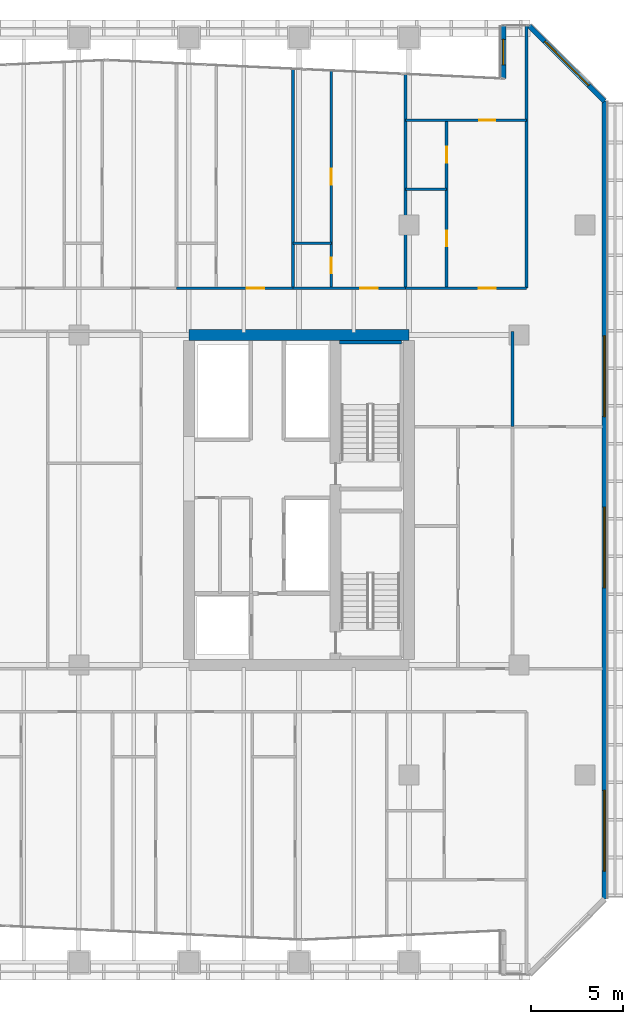
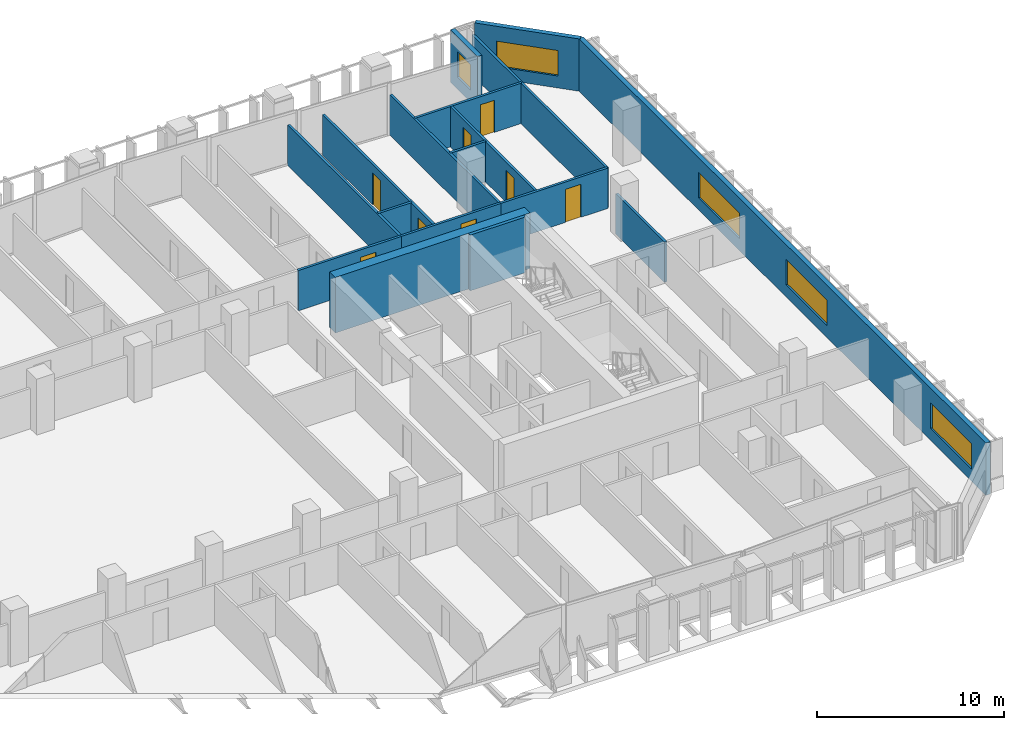
# One storey, part 25 of 32: 17 walls, 8 doors, 5 windows, 13 openings.
"""IFC4 building model written with IfcOpenShell, lengths in metres."""

import ifcopenshell
import ifcopenshell.guid

model = None  # the IFC model being written
_history = None  # IfcOwnerHistory: only IFC2X3 demands one
_inside = {}  # id of a spatial element -> (the spatial element, [elements in it])
_under = {}  # id of a project, library or spatial element -> (it, [spatial elements below it])
_declared = {}  # id of a project -> (the project, [libraries it declares])
_typed = {}  # id of a type object -> (the type object, [elements of that type])
_made_of = {}  # id of a material, layer set ... -> (it, [elements and type objects made of it])


def new_model(schema):
    """Start an empty IFC model of exactly this schema.

    Asked for "IFC4X3", IfcOpenShell would pick the latest addendum, in which some entities
    have other attributes; the version numbers below select the first issue.
    IFC2X3 requires an IfcOwnerHistory on every rooted entity: one is made here for all.
    """
    global model, _history
    if schema == "IFC4X3":
        model = ifcopenshell.file(schema_version=(4, 3, 0, 0))
    else:
        model = ifcopenshell.file(schema=schema)
    _inside.clear()
    _under.clear()
    _declared.clear()
    _typed.clear()
    _made_of.clear()
    _history = None
    if model.schema == "IFC2X3":
        org = make("IfcOrganization", Name="unknown")
        user = make(
            "IfcPersonAndOrganization",
            ThePerson=make("IfcPerson", FamilyName="unknown"),
            TheOrganization=org,
        )
        app = make(
            "IfcApplication",
            ApplicationDeveloper=org,
            Version="unknown",
            ApplicationFullName="unknown",
            ApplicationIdentifier="unknown",
        )
        _history = make(
            "IfcOwnerHistory",
            OwningUser=user,
            OwningApplication=app,
            ChangeAction="ADDED",
            CreationDate=0,
        )
    return model


def make(cls, **values):
    """One entity of the class cls with the attributes given. An attribute that is None is left unset."""
    return model.create_entity(
        cls, **{name: value for name, value in values.items() if value is not None}
    )


def rooted(cls, **values):
    """An entity with a GlobalId (a new one), such as an element, a storey or a relation."""
    return make(cls, GlobalId=ifcopenshell.guid.new(), OwnerHistory=_history, **values)


def si_unit(unit_type, name, prefix=None):
    """IfcSIUnit, for example si_unit("LENGTHUNIT", "METRE", prefix="MILLI")."""
    return make("IfcSIUnit", UnitType=unit_type, Prefix=prefix, Name=name)


def assignment(units):
    """IfcUnitAssignment: the units of a project."""
    return None if units is None else make("IfcUnitAssignment", Units=units)


def point(xyz):
    """IfcCartesianPoint."""
    return None if xyz is None else make("IfcCartesianPoint", Coordinates=xyz)


def direction(xyz):
    """IfcDirection."""
    return None if xyz is None else make("IfcDirection", DirectionRatios=xyz)


def frame(location, z_axis=None, x_axis=None):
    """IfcAxis2Placement3D, a coordinate frame: its origin and axes. An axis left out is left unset."""
    return make(
        "IfcAxis2Placement3D",
        Location=point(location),
        Axis=direction(z_axis),
        RefDirection=direction(x_axis),
    )


def frame_2d(location, x_axis=None):
    """IfcAxis2Placement2D, a coordinate frame in the plane: its origin and x axis."""
    return make(
        "IfcAxis2Placement2D", Location=point(location), RefDirection=direction(x_axis)
    )


def origin():
    """The frame at (0, 0, 0) with its axes left unset."""
    return frame((0.0, 0.0, 0.0))


def place(relative_to, where):
    """IfcLocalPlacement: puts the frame where relative to a parent placement (None: the world)."""
    return make(
        "IfcLocalPlacement", PlacementRelTo=relative_to, RelativePlacement=where
    )


def context(
    kind, dimensions, precision=None, world=None, true_north=None, identifier=None
):
    """IfcGeometricRepresentationContext, for example the 3D "Model" context."""
    return make(
        "IfcGeometricRepresentationContext",
        ContextIdentifier=identifier,
        ContextType=kind,
        CoordinateSpaceDimension=dimensions,
        Precision=precision,
        WorldCoordinateSystem=world,
        TrueNorth=true_north,
    )


def subcontext(parent, identifier, kind, view, scale=None):
    """IfcGeometricRepresentationSubContext, for example "Body" below "Model"."""
    return make(
        "IfcGeometricRepresentationSubContext",
        ContextIdentifier=identifier,
        ContextType=kind,
        ParentContext=parent,
        TargetScale=scale,
        TargetView=view,
    )


def project(units=None, contexts=None):
    """IfcProject with its units and contexts."""
    return rooted(
        "IfcProject",
        Name="project",
        RepresentationContexts=contexts,
        UnitsInContext=assignment(units),
    )


def spatial(cls, under=None, at=None, **own):
    """A site, building, storey or space (cls), placed at a placement, below another one or the project."""
    s = rooted(cls, ObjectPlacement=at, **own)
    if under is not None:
        _under.setdefault(under.id(), (under, []))[1].append(s)
    return s


def profile(cls, at=None, kind="AREA", **sizes):
    """A parametric profile (cls). Its sizes go by their IFC names, for example OverallWidth=200.0."""
    return make(cls, ProfileType=kind, Position=at, **sizes)


def rectangle(**sizes):
    """IfcRectangleProfileDef."""
    return profile("IfcRectangleProfileDef", **sizes)


def extrude(swept, where, along, depth):
    """IfcExtrudedAreaSolid: the profile swept, set in the frame where, extruded along a direction by depth."""
    return make(
        "IfcExtrudedAreaSolid",
        SweptArea=swept,
        Position=where,
        ExtrudedDirection=direction(along),
        Depth=depth,
    )


def shape(context_of_items, identifier, shape_type, items):
    """IfcShapeRepresentation: the items that make up one representation, for example the "Body"."""
    return make(
        "IfcShapeRepresentation",
        ContextOfItems=context_of_items,
        RepresentationIdentifier=identifier,
        RepresentationType=shape_type,
        Items=items,
    )


def material(Name=None, Category=None):
    """IfcMaterial."""
    return make("IfcMaterial", Name=Name, Category=Category)


def layer(
    of_material, thickness, ventilated=None, Name=None, Category=None, Priority=None
):
    """IfcMaterialLayer: one layer of a wall or slab, of a material (None: an air gap)."""
    return make(
        "IfcMaterialLayer",
        Material=of_material,
        LayerThickness=thickness,
        IsVentilated=ventilated,
        Name=Name,
        Category=Category,
        Priority=Priority,
    )


def layer_set(layers, Name=None):
    """IfcMaterialLayerSet."""
    return make("IfcMaterialLayerSet", MaterialLayers=layers, LayerSetName=Name)


def made_of(thing, what):
    """Note that an element or type object is made of a material, layer set ...; save() writes the relation."""
    if what is not None:
        _made_of.setdefault(what.id(), (what, []))[1].append(thing)
    return thing


def type_object(cls, material=None, **own):
    """A type object (cls), such as IfcWallType, which elements share."""
    return made_of(rooted(cls, **own), material)


def element(
    cls,
    number,
    at=None,
    inside=None,
    cuts=None,
    type_object=None,
    material=None,
    context=None,
    identifier="Body",
    shape_type=None,
    held_by="IfcProductDefinitionShape",
    body=None,
    shapes=None,
    **own,
):
    """One element of the class cls, such as IfcWall. Its Tag is "e" and its number.

    at: its placement. inside: the storey or other place that contains it. cuts: it is an
    opening in that element (IfcRelVoidsElement). A single representation is given by context,
    identifier, shape_type and body (its items); several are given by shapes. held_by: the class
    of the entity that holds the representations. save() writes the other relations.
    """
    e = rooted(cls, Tag="e%d" % number, ObjectPlacement=at, **own)
    if body is not None:
        shapes = [shape(context, identifier, shape_type, body)]
    if shapes is not None:
        e.Representation = make(held_by, Representations=shapes)
    if inside is not None:
        _inside.setdefault(inside.id(), (inside, []))[1].append(e)
    if cuts is not None:
        rooted(
            "IfcRelVoidsElement", RelatingBuildingElement=cuts, RelatedOpeningElement=e
        )
    if type_object is not None:
        _typed.setdefault(type_object.id(), (type_object, []))[1].append(e)
    return made_of(e, material)


def fill(opening, filler):
    """IfcRelFillsElement: the door or window that sits in an opening."""
    return rooted(
        "IfcRelFillsElement",
        RelatingOpeningElement=opening,
        RelatedBuildingElement=filler,
    )


def aggregate(whole, parts):
    """IfcRelAggregates: a whole, such as a stair, and the parts it consists of."""
    return rooted("IfcRelAggregates", RelatingObject=whole, RelatedObjects=parts)


def save(model, path):
    """Write the relations noted so far, then the file.

    IfcRelAggregates (storeys below a building ...), IfcRelContainedInSpatialStructure (elements
    in a storey), IfcRelDefinesByType, IfcRelAssociatesMaterial and IfcRelDeclares: one each for
    every whole, place, type object, material and project.
    """
    for whole, parts in _under.values():
        aggregate(whole, parts)
    for where, things in _inside.values():
        rooted(
            "IfcRelContainedInSpatialStructure",
            RelatedElements=things,
            RelatingStructure=where,
        )
    for kind, things in _typed.values():
        rooted("IfcRelDefinesByType", RelatedObjects=things, RelatingType=kind)
    for what, things in _made_of.values():
        rooted("IfcRelAssociatesMaterial", RelatedObjects=things, RelatingMaterial=what)
    for by, libraries in _declared.values():
        rooted("IfcRelDeclares", RelatingContext=by, RelatedDefinitions=libraries)
    model.write(path)


model = new_model("IFC4")

# Units and contexts
model_context = context("Model", 3, precision=1e-05, world=origin(), true_north=direction((0.0, 1.0)))
body_context = subcontext(model_context, "Body", "Model", "MODEL_VIEW")
ifc_project = project(units=[si_unit("LENGTHUNIT", "METRE"), si_unit("AREAUNIT", "SQUARE_METRE"), si_unit("VOLUMEUNIT", "CUBIC_METRE"), si_unit("PLANEANGLEUNIT", "RADIAN"), si_unit("MASSUNIT", "GRAM", prefix="KILO")], contexts=[model_context])

# Site, building, storey
site_placement = place(None, origin())
site = spatial("IfcSite", under=ifc_project, at=site_placement, CompositionType="ELEMENT")
building_placement = place(site_placement, origin())
building = spatial("IfcBuilding", under=site, at=building_placement, Name="Tanjung Sevakor Pilgrim Tower", CompositionType="ELEMENT")
storey_placement = place(building_placement, frame((0.0, 0.0, 62.3701171875)))
storey = spatial("IfcBuildingStorey", under=building, at=storey_placement, Name="L17", CompositionType="ELEMENT", Elevation=62.3701171875)

# Walls
ifc_material_1 = material(Name="Concrete C60/75", Category="concrete")
ifc_layer_1 = layer(ifc_material_1, 0.60009765625)
ifc_layer_set_1 = layer_set([ifc_layer_1], Name="WALL-CW-600")
wall_type_1 = type_object("IfcWallType", Name="WALL-CW-600", PredefinedType="SHEAR", material=ifc_layer_set_1)
wall_1_placement = place(storey_placement, frame((90.0, 42.60009765625, 0.0), z_axis=(0.0, 0.0, 1.0), x_axis=(-1.0, 0.0, 0.0)))
element("IfcWall", 1, at=wall_1_placement, inside=storey, type_object=wall_type_1, Name="L17 E Core North Shear Wall", PredefinedType="SHEAR", context=body_context, shape_type="SweptSolid", body=[
    extrude(rectangle(XDim=12.0, YDim=0.60009765625, at=frame_2d((6.0, 0.0))), origin(), (0.0, 0.0, 1.0), 3.6298828125),
])
ifc_material_2 = material(Name="Concrete C40/50", Category="concrete")
ifc_layer_2 = layer(ifc_material_2, 0.14990234375)
ifc_layer_set_2 = layer_set([ifc_layer_2], Name="WT-COMP-150")
wall_type_2 = type_object("IfcWallType", Name="WT-COMP-150", PredefinedType="SOLIDWALL", material=ifc_layer_set_2)
wall_2_placement = place(storey_placement, frame((96.39990234375, 45.14990234375, 0.0), z_axis=(0.0, 0.0, 1.0), x_axis=(0.0, 1.0, 0.0)))
element("IfcWall", 2, at=wall_2_placement, inside=storey, type_object=wall_type_2, Name="L17 Partition IW-L17-099", PredefinedType="SOLIDWALL", context=body_context, shape_type="SweptSolid", body=[
    extrude(rectangle(XDim=14.31005859375, YDim=0.14990234375, at=frame_2d((7.155029296875, 0.0))), origin(), (0.0, 0.0, 1.0), 2.6298828125),
])
wall_3_placement = place(storey_placement, frame((83.681396484375, 45.14990234375, 0.0), z_axis=(0.0, 0.0, 1.0), x_axis=(0.0, 1.0, 0.0)))
element("IfcWall", 3, at=wall_3_placement, inside=storey, type_object=wall_type_2, Name="L17 Partition IW-L17-114", PredefinedType="SOLIDWALL", context=body_context, shape_type="SweptSolid", body=[
    extrude(rectangle(XDim=11.956298828125, YDim=0.14990234375, at=frame_2d((5.97802734375, 0.0))), origin(), (0.0, 0.0, 1.0), 2.6298828125),
])

# Wall, opening, door
wall_4_placement = place(storey_placement, frame((77.322021484375, 45.14990234375, 0.0), z_axis=(0.0, 0.0, 1.0), x_axis=(1.0, 0.0, 0.0)))
wall_4 = element("IfcWall", 4, at=wall_4_placement, inside=storey, type_object=wall_type_2, Name="L17 Partition IW-L17-117", PredefinedType="SOLIDWALL", context=body_context, shape_type="SweptSolid", body=[
    extrude(rectangle(XDim=6.359375, YDim=0.14990234375, at=frame_2d((3.1796875, 0.0))), origin(), (0.0, 0.0, 1.0), 2.6298828125),
])
opening_1_placement = place(wall_4_placement, frame((3.82568359375, 0.0, 0.0)))
opening_1 = element("IfcOpeningElement", 5, at=opening_1_placement, cuts=wall_4, Name="Opening ID-FD2", PredefinedType="OPENING", context=body_context, shape_type="SweptSolid", body=[
    extrude(rectangle(XDim=0.949951171875, YDim=2.14990234375, at=frame_2d((0.47509765625, 1.074951171875))), frame((0.0, 0.0849609375, 0.0), z_axis=(0.0, -1.0, 0.0), x_axis=(1.0, 0.0, 0.0)), (0.0, 0.0, 1.0), 0.169921875),
])
ifc_material_3 = material(Name="Fire-Rated Timber", Category="wood")
door_type_1 = type_object("IfcDoorType", Name="DT-FIRE-950", OperationType="NOTDEFINED", PredefinedType="DOOR", material=ifc_material_3)
door_1_placement = place(opening_1_placement, origin())
door_1 = element("IfcDoor", 6, at=door_1_placement, inside=storey, type_object=door_type_1, Name="Hostel Quad Entrance", OperationType="SINGLE_SWING_RIGHT", OverallHeight=2.14990234375, OverallWidth=0.949951171875, PredefinedType="DOOR", context=body_context, shape_type="SweptSolid", body=[
    extrude(rectangle(XDim=0.949951171875, YDim=2.14990234375, at=frame_2d((0.47509765625, 1.074951171875))), frame((0.0, 0.02490234375, 0.0), z_axis=(0.0, -1.0, 0.0), x_axis=(1.0, 0.0, 0.0)), (0.0, 0.0, 1.0), 0.050048828125),
])
fill(opening_1, door_1)

# Wall
wall_5_placement = place(storey_placement, frame((89.80517578125, 45.14990234375, 0.0), z_axis=(0.0, 0.0, 1.0), x_axis=(0.0, 1.0, 0.0)))
element("IfcWall", 7, at=wall_5_placement, inside=storey, type_object=wall_type_2, Name="L17 Partition IW-L17-118", PredefinedType="SOLIDWALL", context=body_context, shape_type="SweptSolid", body=[
    extrude(rectangle(XDim=11.671630859375, YDim=0.14990234375, at=frame_2d((5.8359375, 0.0))), origin(), (0.0, 0.0, 1.0), 2.6298828125),
])

# Wall, opening, door
wall_6_placement = place(storey_placement, frame((83.681396484375, 45.14990234375, 0.0), z_axis=(0.0, 0.0, 1.0), x_axis=(1.0, 0.0, 0.0)))
wall_6 = element("IfcWall", 8, at=wall_6_placement, inside=storey, type_object=wall_type_2, Name="L17 Partition IW-L17-121", PredefinedType="SOLIDWALL", context=body_context, shape_type="SweptSolid", body=[
    extrude(rectangle(XDim=6.123779296875, YDim=0.14990234375, at=frame_2d((3.06201171875, 0.0))), origin(), (0.0, 0.0, 1.0), 2.6298828125),
])
opening_2_placement = place(wall_6_placement, frame((3.66796875, 0.0, 0.0)))
opening_2 = element("IfcOpeningElement", 9, at=opening_2_placement, cuts=wall_6, Name="Opening ID-FD2", PredefinedType="OPENING", context=body_context, shape_type="SweptSolid", body=[
    extrude(rectangle(XDim=0.949951171875, YDim=2.14990234375, at=frame_2d((0.47509765625, 1.074951171875))), frame((0.0, 0.0849609375, 0.0), z_axis=(0.0, -1.0, 0.0), x_axis=(1.0, 0.0, 0.0)), (0.0, 0.0, 1.0), 0.169921875),
])
door_2_placement = place(opening_2_placement, origin())
door_2 = element("IfcDoor", 10, at=door_2_placement, inside=storey, type_object=door_type_1, Name="Hostel Quad Entrance", OperationType="SINGLE_SWING_LEFT", OverallHeight=2.14990234375, OverallWidth=0.949951171875, PredefinedType="DOOR", context=body_context, shape_type="SweptSolid", body=[
    extrude(rectangle(XDim=0.949951171875, YDim=2.14990234375, at=frame_2d((0.47509765625, 1.074951171875))), frame((0.0, 0.02490234375, 0.0), z_axis=(0.0, -1.0, 0.0), x_axis=(1.0, 0.0, 0.0)), (0.0, 0.0, 1.0), 0.050048828125),
])
fill(opening_2, door_2)

wall_7_placement = place(storey_placement, frame((89.80517578125, 45.14990234375, 0.0), z_axis=(0.0, 0.0, 1.0), x_axis=(1.0, 0.0, 0.0)))
wall_7 = element("IfcWall", 11, at=wall_7_placement, inside=storey, type_object=wall_type_2, Name="L17 Partition IW-L17-125", PredefinedType="SOLIDWALL", context=body_context, shape_type="SweptSolid", body=[
    extrude(rectangle(XDim=6.5947265625, YDim=0.14990234375, at=frame_2d((3.29736328125, 0.0))), origin(), (0.0, 0.0, 1.0), 2.6298828125),
])
opening_3_placement = place(wall_7_placement, frame((3.983642578125, 0.0, 0.0)))
opening_3 = element("IfcOpeningElement", 12, at=opening_3_placement, cuts=wall_7, Name="Opening ID-FD2", PredefinedType="OPENING", context=body_context, shape_type="SweptSolid", body=[
    extrude(rectangle(XDim=0.949951171875, YDim=2.14990234375, at=frame_2d((0.47509765625, 1.074951171875))), frame((0.0, 0.0849609375, 0.0), z_axis=(0.0, -1.0, 0.0), x_axis=(1.0, 0.0, 0.0)), (0.0, 0.0, 1.0), 0.169921875),
])
door_3_placement = place(opening_3_placement, origin())
door_3 = element("IfcDoor", 13, at=door_3_placement, inside=storey, type_object=door_type_1, Name="Residence Entrance", OperationType="SINGLE_SWING_LEFT", OverallHeight=2.14990234375, OverallWidth=0.949951171875, PredefinedType="DOOR", context=body_context, shape_type="SweptSolid", body=[
    extrude(rectangle(XDim=0.949951171875, YDim=2.14990234375, at=frame_2d((0.47509765625, 1.074951171875))), frame((0.0, 0.02490234375, 0.0), z_axis=(0.0, -1.0, 0.0), x_axis=(1.0, 0.0, 0.0)), (0.0, 0.0, 1.0), 0.050048828125),
])
fill(opening_3, door_3)

# Wall, openings, windows
ifc_material_4 = material(Name="Precast concrete C45/55", Category="concrete")
ifc_layer_3 = layer(ifc_material_4, 0.280029296875)
ifc_layer_set_3 = layer_set([ifc_layer_3], Name="WT-EW-STN2")
wall_type_3 = type_object("IfcWallType", Name="WT-EW-STN2", PredefinedType="SOLIDWALL", material=ifc_layer_set_3)
wall_8_placement = place(storey_placement, frame((100.659912109375, 11.85791015625, 0.0), z_axis=(0.0, 0.0, 1.0), x_axis=(0.0, 1.0, 0.0)))
wall_8 = element("IfcWall", 14, at=wall_8_placement, inside=storey, type_object=wall_type_3, Name="L17 MAIN Exterior Wall 17", PredefinedType="SOLIDWALL", context=body_context, shape_type="SweptSolid", body=[
    extrude(rectangle(XDim=43.484130859375, YDim=0.280029296875, at=frame_2d((21.7421875, 0.0))), origin(), (0.0, 0.0, 1.0), 3.409912109375),
])
opening_4_placement = place(wall_8_placement, frame((16.951904296875, 0.0, 0.780029296875)))
opening_4 = element("IfcOpeningElement", 15, at=opening_4_placement, cuts=wall_8, Name="Opening WN-ENDW-1660", PredefinedType="OPENING", context=body_context, shape_type="SweptSolid", body=[
    extrude(rectangle(XDim=4.39990234375, YDim=1.659912109375, at=frame_2d((2.199951171875, 0.830078125))), frame((0.0, 0.14990234375, 0.0), z_axis=(0.0, -1.0, 0.0), x_axis=(1.0, 0.0, 0.0)), (0.0, 0.0, 1.0), 0.300048828125),
])
opening_5_placement = place(wall_8_placement, frame((26.2919921875, 0.0, 0.780029296875)))
opening_5 = element("IfcOpeningElement", 16, at=opening_5_placement, cuts=wall_8, Name="Opening WN-ENDW-1660", PredefinedType="OPENING", context=body_context, shape_type="SweptSolid", body=[
    extrude(rectangle(XDim=4.39990234375, YDim=1.659912109375, at=frame_2d((2.199951171875, 0.830078125))), frame((0.0, 0.14990234375, 0.0), z_axis=(0.0, -1.0, 0.0), x_axis=(1.0, 0.0, 0.0)), (0.0, 0.0, 1.0), 0.300048828125),
])
opening_6_placement = place(wall_8_placement, frame((1.510986328125, 0.0, 0.780029296875)))
opening_6 = element("IfcOpeningElement", 17, at=opening_6_placement, cuts=wall_8, Name="Opening WN-ENDW-1660", PredefinedType="OPENING", context=body_context, shape_type="SweptSolid", body=[
    extrude(rectangle(XDim=4.39990234375, YDim=1.659912109375, at=frame_2d((2.199951171875, 0.830078125))), frame((0.0, 0.14990234375, 0.0), z_axis=(0.0, -1.0, 0.0), x_axis=(1.0, 0.0, 0.0)), (0.0, 0.0, 1.0), 0.300048828125),
])
ifc_material_5 = material(Name="Thermally Broken Aluminium and Low-E Glass", Category="aluminium")
window_type_1 = type_object("IfcWindowType", Name="WTYP-WN-ENDW-1660", PartitioningType="DOUBLE_PANEL_VERTICAL", PredefinedType="WINDOW", material=ifc_material_5)
window_1_placement = place(opening_4_placement, origin())
window_1 = element("IfcWindow", 18, at=window_1_placement, inside=storey, type_object=window_type_1, Name="L17 Facade Window 01", OverallHeight=1.659912109375, OverallWidth=4.39990234375, PartitioningType="SINGLE_PANEL", PredefinedType="WINDOW", context=body_context, shape_type="SweptSolid", body=[
    extrude(rectangle(XDim=4.39990234375, YDim=1.659912109375, at=frame_2d((2.199951171875, 0.830078125))), frame((0.0, 0.030029296875, 0.0), z_axis=(0.0, -1.0, 0.0), x_axis=(1.0, 0.0, 0.0)), (0.0, 0.0, 1.0), 0.06005859375),
])
fill(opening_4, window_1)
window_2_placement = place(opening_5_placement, origin())
window_2 = element("IfcWindow", 19, at=window_2_placement, inside=storey, type_object=window_type_1, Name="L17 Facade Window 02", OverallHeight=1.659912109375, OverallWidth=4.39990234375, PartitioningType="SINGLE_PANEL", PredefinedType="WINDOW", context=body_context, shape_type="SweptSolid", body=[
    extrude(rectangle(XDim=4.39990234375, YDim=1.659912109375, at=frame_2d((2.199951171875, 0.830078125))), frame((0.0, 0.030029296875, 0.0), z_axis=(0.0, -1.0, 0.0), x_axis=(1.0, 0.0, 0.0)), (0.0, 0.0, 1.0), 0.06005859375),
])
fill(opening_5, window_2)
window_3_placement = place(opening_6_placement, origin())
window_3 = element("IfcWindow", 20, at=window_3_placement, inside=storey, type_object=window_type_1, Name="L17 Facade Window 03", OverallHeight=1.659912109375, OverallWidth=4.39990234375, PartitioningType="SINGLE_PANEL", PredefinedType="WINDOW", context=body_context, shape_type="SweptSolid", body=[
    extrude(rectangle(XDim=4.39990234375, YDim=1.659912109375, at=frame_2d((2.199951171875, 0.830078125))), frame((0.0, 0.030029296875, 0.0), z_axis=(0.0, -1.0, 0.0), x_axis=(1.0, 0.0, 0.0)), (0.0, 0.0, 1.0), 0.06005859375),
])
fill(opening_6, window_3)

# Wall, opening, window
wall_9_placement = place(storey_placement, frame((100.659912109375, 55.342041015625, 0.0), z_axis=(0.0, 0.0, 1.0), x_axis=(-0.707106781187, 0.707106781187, 0.0)))
wall_9 = element("IfcWall", 21, at=wall_9_placement, inside=storey, type_object=wall_type_3, Name="L17 MAIN Sculpted Corner Wall 17", PredefinedType="SOLIDWALL", context=body_context, shape_type="SweptSolid", body=[
    extrude(rectangle(XDim=5.82373046875, YDim=0.280029296875, at=frame_2d((2.911865234375, 0.0))), origin(), (0.0, 0.0, 1.0), 3.409912109375),
])
opening_7_placement = place(wall_9_placement, frame((1.2119140625, 0.0, 0.780029296875)))
opening_7 = element("IfcOpeningElement", 22, at=opening_7_placement, cuts=wall_9, Name="Opening WN-CHM-1660", PredefinedType="OPENING", context=body_context, shape_type="SweptSolid", body=[
    extrude(rectangle(XDim=3.39990234375, YDim=1.659912109375, at=frame_2d((1.699951171875, 0.830078125))), frame((0.0, 0.14990234375, 0.0), z_axis=(0.0, -1.0, 0.0), x_axis=(1.0, 0.0, 0.0)), (0.0, 0.0, 1.0), 0.300048828125),
])
ifc_material_6 = material(Name="Thermally Broken Aluminium and Low-E Glass", Category="aluminium")
window_type_2 = type_object("IfcWindowType", Name="WTYP-WN-CHM-1660", PartitioningType="DOUBLE_PANEL_VERTICAL", PredefinedType="WINDOW", material=ifc_material_6)
window_4_placement = place(opening_7_placement, origin())
window_4 = element("IfcWindow", 23, at=window_4_placement, inside=storey, type_object=window_type_2, Name="L17 Facade Window 01", OverallHeight=1.659912109375, OverallWidth=3.39990234375, PartitioningType="SINGLE_PANEL", PredefinedType="WINDOW", context=body_context, shape_type="SweptSolid", body=[
    extrude(rectangle(XDim=3.39990234375, YDim=1.659912109375, at=frame_2d((1.699951171875, 0.830078125))), frame((0.0, 0.030029296875, 0.0), z_axis=(0.0, -1.0, 0.0), x_axis=(1.0, 0.0, 0.0)), (0.0, 0.0, 1.0), 0.06005859375),
])
fill(opening_7, window_4)

wall_10_placement = place(storey_placement, frame((95.139892578125, 59.4599609375, 0.0), z_axis=(0.0, 0.0, 1.0), x_axis=(0.0, -1.0, 0.0)))
wall_10 = element("IfcWall", 24, at=wall_10_placement, inside=storey, type_object=wall_type_3, Name="L17 MAIN Exterior Wall 20", PredefinedType="SOLIDWALL", context=body_context, shape_type="SweptSolid", body=[
    extrude(rectangle(XDim=2.88671875, YDim=0.280029296875, at=frame_2d((1.443359375, 0.0))), origin(), (0.0, 0.0, 1.0), 3.409912109375),
])
opening_8_placement = place(wall_10_placement, frame((0.743408203125, 0.0, 0.780029296875)))
opening_8 = element("IfcOpeningElement", 25, at=opening_8_placement, cuts=wall_10, Name="Opening WN-END", PredefinedType="OPENING", context=body_context, shape_type="SweptSolid", body=[
    extrude(rectangle(XDim=1.39990234375, YDim=1.64990234375, at=frame_2d((0.699951171875, 0.824951171875))), frame((0.0, 0.14990234375, 0.0), z_axis=(0.0, -1.0, 0.0), x_axis=(1.0, 0.0, 0.0)), (0.0, 0.0, 1.0), 0.300048828125),
])
ifc_material_7 = material(Name="Thermally Broken Aluminium and Low-E Glass", Category="aluminium")
window_type_3 = type_object("IfcWindowType", Name="WTYP-WN-END", PartitioningType="SINGLE_PANEL", PredefinedType="WINDOW", material=ifc_material_7)
window_5_placement = place(opening_8_placement, origin())
window_5 = element("IfcWindow", 26, at=window_5_placement, inside=storey, type_object=window_type_3, Name="L17 Facade Window 01", OverallHeight=1.64990234375, OverallWidth=1.39990234375, PartitioningType="SINGLE_PANEL", PredefinedType="WINDOW", context=body_context, shape_type="SweptSolid", body=[
    extrude(rectangle(XDim=1.39990234375, YDim=1.64990234375, at=frame_2d((0.699951171875, 0.824951171875))), frame((0.0, 0.030029296875, 0.0), z_axis=(0.0, -1.0, 0.0), x_axis=(1.0, 0.0, 0.0)), (0.0, 0.0, 1.0), 0.06005859375),
])
fill(opening_8, window_5)

# Walls
ifc_material_8 = material(Name="Concrete C40/50", Category="concrete")
ifc_layer_4 = layer(ifc_material_8, 0.199951171875)
ifc_layer_set_4 = layer_set([ifc_layer_4], Name="WT-FIRE-200")
wall_type_4 = type_object("IfcWallType", Name="WT-FIRE-200", PredefinedType="SOLIDWALL", material=ifc_layer_set_4)
wall_11_placement = place(storey_placement, frame((89.60009765625, 42.199951171875, 0.0), z_axis=(0.0, 0.0, 1.0), x_axis=(-1.0, 0.0, 0.0)))
element("IfcWall", 27, at=wall_11_placement, inside=storey, type_object=wall_type_4, Name="L17 TS-E2 Shaft Wall 3", PredefinedType="SOLIDWALL", context=body_context, shape_type="SweptSolid", body=[
    extrude(rectangle(XDim=3.400146484375, YDim=0.199951171875, at=frame_2d((1.7001953125, 0.0))), origin(), (0.0, 0.0, 1.0), 3.6298828125),
])
ifc_material_9 = material(Name="Gypsum Board Partition", Category="gypsum board")
ifc_layer_5 = layer(ifc_material_9, 0.14990234375)
ifc_layer_set_5 = layer_set([ifc_layer_5], Name="WT-PART-150")
wall_type_5 = type_object("IfcWallType", Name="WT-PART-150", PredefinedType="PARTITIONING", material=ifc_layer_set_5)
wall_12_placement = place(storey_placement, frame((95.644775390625, 37.60009765625, 0.0), z_axis=(0.0, 0.0, 1.0), x_axis=(0.0, 1.0, 0.0)))
element("IfcWall", 28, at=wall_12_placement, inside=storey, type_object=wall_type_5, Name="L17 Partition IW-L17-043", PredefinedType="PARTITIONING", context=body_context, shape_type="SweptSolid", body=[
    extrude(rectangle(XDim=5.199951171875, YDim=0.14990234375, at=frame_2d((2.60009765625, 0.0))), origin(), (0.0, 0.0, 1.0), 2.6298828125),
])
wall_13_placement = place(storey_placement, frame((83.681396484375, 47.60009765625, 0.0), z_axis=(0.0, 0.0, 1.0), x_axis=(1.0, 0.0, 0.0)))
element("IfcWall", 29, at=wall_13_placement, inside=storey, type_object=wall_type_5, Name="L17 Partition IW-L17-119", PredefinedType="PARTITIONING", context=body_context, shape_type="SweptSolid", body=[
    extrude(rectangle(XDim=2.08203125, YDim=0.14990234375, at=frame_2d((1.041015625, 0.0))), origin(), (0.0, 0.0, 1.0), 2.6298828125),
])

# Wall, openings, doors
wall_14_placement = place(storey_placement, frame((85.763427734375, 45.14990234375, 0.0), z_axis=(0.0, 0.0, 1.0), x_axis=(0.0, 1.0, 0.0)))
wall_14 = element("IfcWall", 30, at=wall_14_placement, inside=storey, type_object=wall_type_5, Name="L17 Partition IW-L17-120", PredefinedType="PARTITIONING", context=body_context, shape_type="SweptSolid", body=[
    extrude(rectangle(XDim=11.859619140625, YDim=0.14990234375, at=frame_2d((5.9296875, 0.0))), origin(), (0.0, 0.0, 1.0), 2.6298828125),
])
opening_9_placement = place(wall_14_placement, frame((0.800048828125, 0.0, 0.0)))
opening_9 = element("IfcOpeningElement", 31, at=opening_9_placement, cuts=wall_14, Name="Opening ID-WC1", PredefinedType="OPENING", context=body_context, shape_type="SweptSolid", body=[
    extrude(rectangle(XDim=0.85009765625, YDim=2.10009765625, at=frame_2d((0.425048828125, 1.050048828125))), frame((0.0, 0.0849609375, 0.0), z_axis=(0.0, -1.0, 0.0), x_axis=(1.0, 0.0, 0.0)), (0.0, 0.0, 1.0), 0.169921875),
])
opening_10_placement = place(wall_14_placement, frame((5.64990234375, 0.0, 0.0)))
opening_10 = element("IfcOpeningElement", 32, at=opening_10_placement, cuts=wall_14, Name="Opening ID-WC1", PredefinedType="OPENING", context=body_context, shape_type="SweptSolid", body=[
    extrude(rectangle(XDim=0.85009765625, YDim=2.10009765625, at=frame_2d((0.425048828125, 1.050048828125))), frame((0.0, 0.0849609375, 0.0), z_axis=(0.0, -1.0, 0.0), x_axis=(1.0, 0.0, 0.0)), (0.0, 0.0, 1.0), 0.169921875),
])
ifc_material_10 = material(Name="Moisture-Resistant Timber", Category="wood")
door_type_2 = type_object("IfcDoorType", Name="DT-INT-850", OperationType="NOTDEFINED", PredefinedType="DOOR", material=ifc_material_10)
door_4_placement = place(opening_9_placement, origin())
door_4 = element("IfcDoor", 33, at=door_4_placement, inside=storey, type_object=door_type_2, Name="Bathroom Door", OperationType="SINGLE_SWING_LEFT", OverallHeight=2.10009765625, OverallWidth=0.85009765625, PredefinedType="DOOR", context=body_context, shape_type="SweptSolid", body=[
    extrude(rectangle(XDim=0.85009765625, YDim=2.10009765625, at=frame_2d((0.425048828125, 1.050048828125))), frame((0.0, 0.02490234375, 0.0), z_axis=(0.0, -1.0, 0.0), x_axis=(1.0, 0.0, 0.0)), (0.0, 0.0, 1.0), 0.050048828125),
])
fill(opening_9, door_4)
door_5_placement = place(opening_10_placement, origin())
door_5 = element("IfcDoor", 34, at=door_5_placement, inside=storey, type_object=door_type_2, Name="Study Nook Door", OperationType="SINGLE_SWING_RIGHT", OverallHeight=2.10009765625, OverallWidth=0.85009765625, PredefinedType="DOOR", context=body_context, shape_type="SweptSolid", body=[
    extrude(rectangle(XDim=0.85009765625, YDim=2.10009765625, at=frame_2d((0.425048828125, 1.050048828125))), frame((0.0, 0.02490234375, 0.0), z_axis=(0.0, -1.0, 0.0), x_axis=(1.0, 0.0, 0.0)), (0.0, 0.0, 1.0), 0.050048828125),
])
fill(opening_10, door_5)

# Wall
wall_15_placement = place(storey_placement, frame((89.80517578125, 50.548583984375, 0.0), z_axis=(0.0, 0.0, 1.0), x_axis=(1.0, 0.0, 0.0)))
element("IfcWall", 35, at=wall_15_placement, inside=storey, type_object=wall_type_5, Name="L17 Partition IW-L17-122", PredefinedType="PARTITIONING", context=body_context, shape_type="SweptSolid", body=[
    extrude(rectangle(XDim=2.2421875, YDim=0.14990234375, at=frame_2d((1.12109375, 0.0))), origin(), (0.0, 0.0, 1.0), 2.6298828125),
])

# Wall, openings, doors
wall_16_placement = place(storey_placement, frame((92.04736328125, 45.14990234375, 0.0), z_axis=(0.0, 0.0, 1.0), x_axis=(0.0, 1.0, 0.0)))
wall_16 = element("IfcWall", 36, at=wall_16_placement, inside=storey, type_object=wall_type_5, Name="L17 Partition IW-L17-123", PredefinedType="PARTITIONING", context=body_context, shape_type="SweptSolid", body=[
    extrude(rectangle(XDim=9.150146484375, YDim=0.14990234375, at=frame_2d((4.5751953125, 0.0))), origin(), (0.0, 0.0, 1.0), 2.6298828125),
])
opening_11_placement = place(wall_16_placement, frame((2.274169921875, 0.0, 0.0)))
opening_11 = element("IfcOpeningElement", 37, at=opening_11_placement, cuts=wall_16, Name="Opening ID-WC1", PredefinedType="OPENING", context=body_context, shape_type="SweptSolid", body=[
    extrude(rectangle(XDim=0.85009765625, YDim=2.10009765625, at=frame_2d((0.425048828125, 1.050048828125))), frame((0.0, 0.0849609375, 0.0), z_axis=(0.0, -1.0, 0.0), x_axis=(1.0, 0.0, 0.0)), (0.0, 0.0, 1.0), 0.169921875),
])
opening_12_placement = place(wall_16_placement, frame((6.84912109375, 0.0, 0.0)))
opening_12 = element("IfcOpeningElement", 38, at=opening_12_placement, cuts=wall_16, Name="Opening ID-WC1", PredefinedType="OPENING", context=body_context, shape_type="SweptSolid", body=[
    extrude(rectangle(XDim=0.85009765625, YDim=2.10009765625, at=frame_2d((0.425048828125, 1.050048828125))), frame((0.0, 0.0849609375, 0.0), z_axis=(0.0, -1.0, 0.0), x_axis=(1.0, 0.0, 0.0)), (0.0, 0.0, 1.0), 0.169921875),
])
door_6_placement = place(opening_11_placement, origin())
door_6 = element("IfcDoor", 39, at=door_6_placement, inside=storey, type_object=door_type_2, Name="Residence Kitchenette Door", OperationType="SINGLE_SWING_RIGHT", OverallHeight=2.10009765625, OverallWidth=0.85009765625, PredefinedType="DOOR", context=body_context, shape_type="SweptSolid", body=[
    extrude(rectangle(XDim=0.85009765625, YDim=2.10009765625, at=frame_2d((0.425048828125, 1.050048828125))), frame((0.0, 0.02490234375, 0.0), z_axis=(0.0, -1.0, 0.0), x_axis=(1.0, 0.0, 0.0)), (0.0, 0.0, 1.0), 0.050048828125),
])
fill(opening_11, door_6)
door_7_placement = place(opening_12_placement, origin())
door_7 = element("IfcDoor", 40, at=door_7_placement, inside=storey, type_object=door_type_2, Name="Residence Bathroom Door", OperationType="SINGLE_SWING_LEFT", OverallHeight=2.10009765625, OverallWidth=0.85009765625, PredefinedType="DOOR", context=body_context, shape_type="SweptSolid", body=[
    extrude(rectangle(XDim=0.85009765625, YDim=2.10009765625, at=frame_2d((0.425048828125, 1.050048828125))), frame((0.0, 0.02490234375, 0.0), z_axis=(0.0, -1.0, 0.0), x_axis=(1.0, 0.0, 0.0)), (0.0, 0.0, 1.0), 0.050048828125),
])
fill(opening_12, door_7)

# Wall, opening, door
wall_17_placement = place(storey_placement, frame((89.80517578125, 54.300048828125, 0.0), z_axis=(0.0, 0.0, 1.0), x_axis=(1.0, 0.0, 0.0)))
wall_17 = element("IfcWall", 41, at=wall_17_placement, inside=storey, type_object=wall_type_5, Name="L17 Partition IW-L17-124", PredefinedType="PARTITIONING", context=body_context, shape_type="SweptSolid", body=[
    extrude(rectangle(XDim=6.5947265625, YDim=0.14990234375, at=frame_2d((3.29736328125, 0.0))), origin(), (0.0, 0.0, 1.0), 2.6298828125),
])
opening_13_placement = place(wall_17_placement, frame((4.03369140625, 0.0, 0.0)))
opening_13 = element("IfcOpeningElement", 42, at=opening_13_placement, cuts=wall_17, Name="Opening ID-WC1", PredefinedType="OPENING", context=body_context, shape_type="SweptSolid", body=[
    extrude(rectangle(XDim=0.85009765625, YDim=2.10009765625, at=frame_2d((0.425048828125, 1.050048828125))), frame((0.0, 0.0849609375, 0.0), z_axis=(0.0, -1.0, 0.0), x_axis=(1.0, 0.0, 0.0)), (0.0, 0.0, 1.0), 0.169921875),
])
door_8_placement = place(opening_13_placement, origin())
door_8 = element("IfcDoor", 43, at=door_8_placement, inside=storey, type_object=door_type_2, Name="Residence Bedroom Door", OperationType="SINGLE_SWING_RIGHT", OverallHeight=2.10009765625, OverallWidth=0.85009765625, PredefinedType="DOOR", context=body_context, shape_type="SweptSolid", body=[
    extrude(rectangle(XDim=0.85009765625, YDim=2.10009765625, at=frame_2d((0.425048828125, 1.050048828125))), frame((0.0, 0.02490234375, 0.0), z_axis=(0.0, -1.0, 0.0), x_axis=(1.0, 0.0, 0.0)), (0.0, 0.0, 1.0), 0.050048828125),
])
fill(opening_13, door_8)

save(model, "model.ifc")
